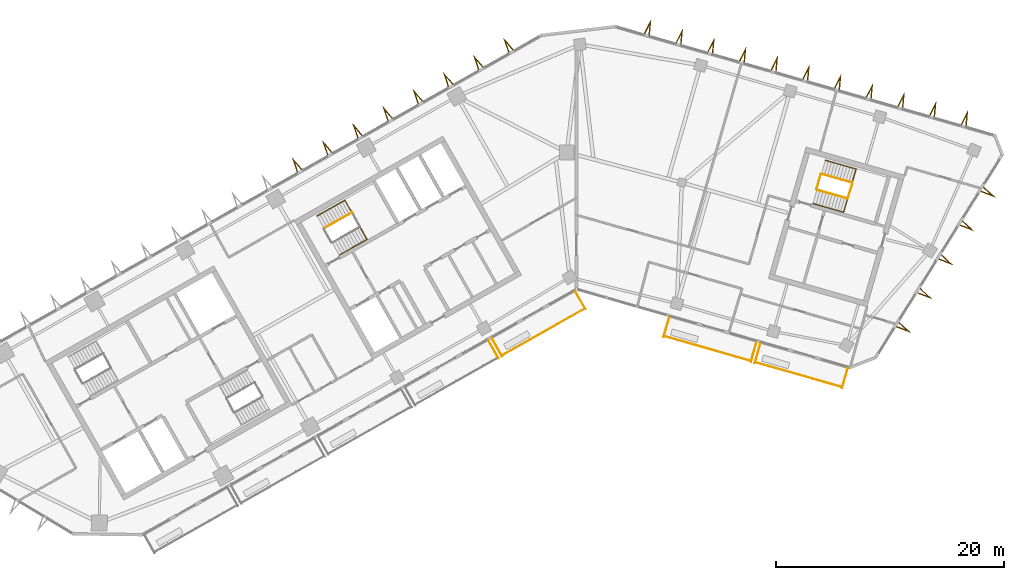
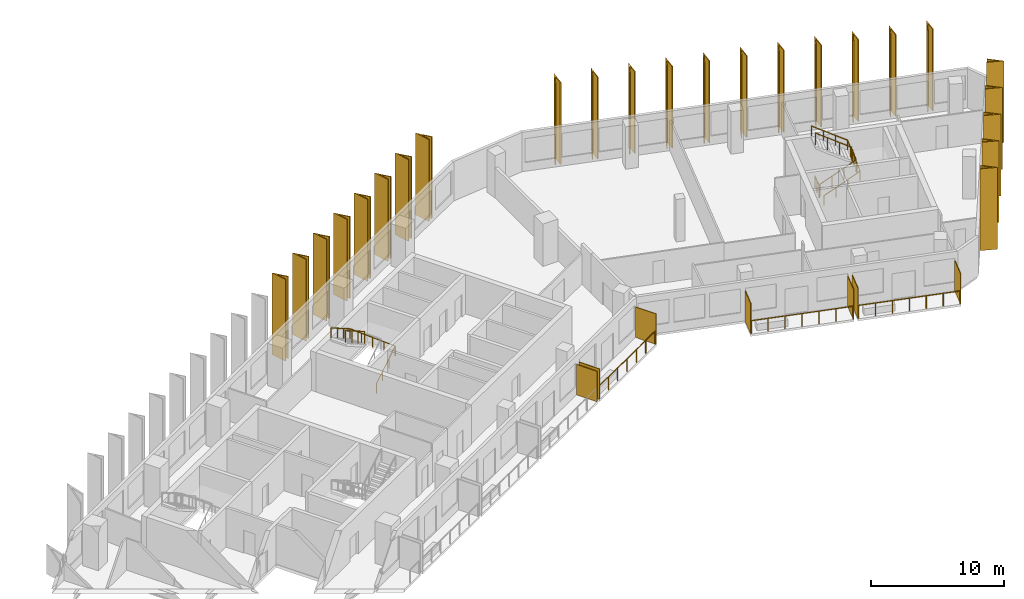
# One storey, part 11 of 12: 31 shading devices, 9 railings.
"""IFC4 building model written with IfcOpenShell, lengths in metres."""

import ifcopenshell
import ifcopenshell.guid

model = None  # the IFC model being written
_history = None  # IfcOwnerHistory: only IFC2X3 demands one
_inside = {}  # id of a spatial element -> (the spatial element, [elements in it])
_under = {}  # id of a project, library or spatial element -> (it, [spatial elements below it])
_declared = {}  # id of a project -> (the project, [libraries it declares])
_typed = {}  # id of a type object -> (the type object, [elements of that type])
_made_of = {}  # id of a material, layer set ... -> (it, [elements and type objects made of it])


def new_model(schema):
    """Start an empty IFC model of exactly this schema.

    Asked for "IFC4X3", IfcOpenShell would pick the latest addendum, in which some entities
    have other attributes; the version numbers below select the first issue.
    IFC2X3 requires an IfcOwnerHistory on every rooted entity: one is made here for all.
    """
    global model, _history
    if schema == "IFC4X3":
        model = ifcopenshell.file(schema_version=(4, 3, 0, 0))
    else:
        model = ifcopenshell.file(schema=schema)
    _inside.clear()
    _under.clear()
    _declared.clear()
    _typed.clear()
    _made_of.clear()
    _history = None
    if model.schema == "IFC2X3":
        org = make("IfcOrganization", Name="unknown")
        user = make(
            "IfcPersonAndOrganization",
            ThePerson=make("IfcPerson", FamilyName="unknown"),
            TheOrganization=org,
        )
        app = make(
            "IfcApplication",
            ApplicationDeveloper=org,
            Version="unknown",
            ApplicationFullName="unknown",
            ApplicationIdentifier="unknown",
        )
        _history = make(
            "IfcOwnerHistory",
            OwningUser=user,
            OwningApplication=app,
            ChangeAction="ADDED",
            CreationDate=0,
        )
    return model


def make(cls, **values):
    """One entity of the class cls with the attributes given. An attribute that is None is left unset."""
    return model.create_entity(
        cls, **{name: value for name, value in values.items() if value is not None}
    )


def rooted(cls, **values):
    """An entity with a GlobalId (a new one), such as an element, a storey or a relation."""
    return make(cls, GlobalId=ifcopenshell.guid.new(), OwnerHistory=_history, **values)


def si_unit(unit_type, name, prefix=None):
    """IfcSIUnit, for example si_unit("LENGTHUNIT", "METRE", prefix="MILLI")."""
    return make("IfcSIUnit", UnitType=unit_type, Prefix=prefix, Name=name)


def assignment(units):
    """IfcUnitAssignment: the units of a project."""
    return None if units is None else make("IfcUnitAssignment", Units=units)


def point(xyz):
    """IfcCartesianPoint."""
    return None if xyz is None else make("IfcCartesianPoint", Coordinates=xyz)


def direction(xyz):
    """IfcDirection."""
    return None if xyz is None else make("IfcDirection", DirectionRatios=xyz)


def frame(location, z_axis=None, x_axis=None):
    """IfcAxis2Placement3D, a coordinate frame: its origin and axes. An axis left out is left unset."""
    return make(
        "IfcAxis2Placement3D",
        Location=point(location),
        Axis=direction(z_axis),
        RefDirection=direction(x_axis),
    )


def frame_2d(location, x_axis=None):
    """IfcAxis2Placement2D, a coordinate frame in the plane: its origin and x axis."""
    return make(
        "IfcAxis2Placement2D", Location=point(location), RefDirection=direction(x_axis)
    )


def origin():
    """The frame at (0, 0, 0) with its axes left unset."""
    return frame((0.0, 0.0, 0.0))


def origin_2d():
    """The frame at (0, 0) in the plane with its x axis left unset."""
    return frame_2d((0.0, 0.0))


def place(relative_to, where):
    """IfcLocalPlacement: puts the frame where relative to a parent placement (None: the world)."""
    return make(
        "IfcLocalPlacement", PlacementRelTo=relative_to, RelativePlacement=where
    )


def context(
    kind, dimensions, precision=None, world=None, true_north=None, identifier=None
):
    """IfcGeometricRepresentationContext, for example the 3D "Model" context."""
    return make(
        "IfcGeometricRepresentationContext",
        ContextIdentifier=identifier,
        ContextType=kind,
        CoordinateSpaceDimension=dimensions,
        Precision=precision,
        WorldCoordinateSystem=world,
        TrueNorth=true_north,
    )


def subcontext(parent, identifier, kind, view, scale=None):
    """IfcGeometricRepresentationSubContext, for example "Body" below "Model"."""
    return make(
        "IfcGeometricRepresentationSubContext",
        ContextIdentifier=identifier,
        ContextType=kind,
        ParentContext=parent,
        TargetScale=scale,
        TargetView=view,
    )


def project(units=None, contexts=None):
    """IfcProject with its units and contexts."""
    return rooted(
        "IfcProject",
        Name="project",
        RepresentationContexts=contexts,
        UnitsInContext=assignment(units),
    )


def spatial(cls, under=None, at=None, **own):
    """A site, building, storey or space (cls), placed at a placement, below another one or the project."""
    s = rooted(cls, ObjectPlacement=at, **own)
    if under is not None:
        _under.setdefault(under.id(), (under, []))[1].append(s)
    return s


def polyline(points):
    """IfcPolyline through the points."""
    return make("IfcPolyline", Points=[point(p) for p in points])


def profile(cls, at=None, kind="AREA", **sizes):
    """A parametric profile (cls). Its sizes go by their IFC names, for example OverallWidth=200.0."""
    return make(cls, ProfileType=kind, Position=at, **sizes)


def rectangle(**sizes):
    """IfcRectangleProfileDef."""
    return profile("IfcRectangleProfileDef", **sizes)


def circle(**sizes):
    """IfcCircleProfileDef."""
    return profile("IfcCircleProfileDef", **sizes)


def outline(outer, holes=None, kind="AREA"):
    """IfcArbitraryClosedProfileDef: a profile drawn as a closed curve; with holes, ...WithVoids."""
    if holes is None:
        return make("IfcArbitraryClosedProfileDef", ProfileType=kind, OuterCurve=outer)
    return make(
        "IfcArbitraryProfileDefWithVoids",
        ProfileType=kind,
        OuterCurve=outer,
        InnerCurves=holes,
    )


def extrude(swept, where, along, depth):
    """IfcExtrudedAreaSolid: the profile swept, set in the frame where, extruded along a direction by depth."""
    return make(
        "IfcExtrudedAreaSolid",
        SweptArea=swept,
        Position=where,
        ExtrudedDirection=direction(along),
        Depth=depth,
    )


def shape(context_of_items, identifier, shape_type, items):
    """IfcShapeRepresentation: the items that make up one representation, for example the "Body"."""
    return make(
        "IfcShapeRepresentation",
        ContextOfItems=context_of_items,
        RepresentationIdentifier=identifier,
        RepresentationType=shape_type,
        Items=items,
    )


def material(Name=None, Category=None):
    """IfcMaterial."""
    return make("IfcMaterial", Name=Name, Category=Category)


def layer(
    of_material, thickness, ventilated=None, Name=None, Category=None, Priority=None
):
    """IfcMaterialLayer: one layer of a wall or slab, of a material (None: an air gap)."""
    return make(
        "IfcMaterialLayer",
        Material=of_material,
        LayerThickness=thickness,
        IsVentilated=ventilated,
        Name=Name,
        Category=Category,
        Priority=Priority,
    )


def layer_set(layers, Name=None):
    """IfcMaterialLayerSet."""
    return make("IfcMaterialLayerSet", MaterialLayers=layers, LayerSetName=Name)


def made_of(thing, what):
    """Note that an element or type object is made of a material, layer set ...; save() writes the relation."""
    if what is not None:
        _made_of.setdefault(what.id(), (what, []))[1].append(thing)
    return thing


def type_object(cls, material=None, **own):
    """A type object (cls), such as IfcWallType, which elements share."""
    return made_of(rooted(cls, **own), material)


def element(
    cls,
    number,
    at=None,
    inside=None,
    cuts=None,
    type_object=None,
    material=None,
    context=None,
    identifier="Body",
    shape_type=None,
    held_by="IfcProductDefinitionShape",
    body=None,
    shapes=None,
    **own,
):
    """One element of the class cls, such as IfcWall. Its Tag is "e" and its number.

    at: its placement. inside: the storey or other place that contains it. cuts: it is an
    opening in that element (IfcRelVoidsElement). A single representation is given by context,
    identifier, shape_type and body (its items); several are given by shapes. held_by: the class
    of the entity that holds the representations. save() writes the other relations.
    """
    e = rooted(cls, Tag="e%d" % number, ObjectPlacement=at, **own)
    if body is not None:
        shapes = [shape(context, identifier, shape_type, body)]
    if shapes is not None:
        e.Representation = make(held_by, Representations=shapes)
    if inside is not None:
        _inside.setdefault(inside.id(), (inside, []))[1].append(e)
    if cuts is not None:
        rooted(
            "IfcRelVoidsElement", RelatingBuildingElement=cuts, RelatedOpeningElement=e
        )
    if type_object is not None:
        _typed.setdefault(type_object.id(), (type_object, []))[1].append(e)
    return made_of(e, material)


def aggregate(whole, parts):
    """IfcRelAggregates: a whole, such as a stair, and the parts it consists of."""
    return rooted("IfcRelAggregates", RelatingObject=whole, RelatedObjects=parts)


def save(model, path):
    """Write the relations noted so far, then the file.

    IfcRelAggregates (storeys below a building ...), IfcRelContainedInSpatialStructure (elements
    in a storey), IfcRelDefinesByType, IfcRelAssociatesMaterial and IfcRelDeclares: one each for
    every whole, place, type object, material and project.
    """
    for whole, parts in _under.values():
        aggregate(whole, parts)
    for where, things in _inside.values():
        rooted(
            "IfcRelContainedInSpatialStructure",
            RelatedElements=things,
            RelatingStructure=where,
        )
    for kind, things in _typed.values():
        rooted("IfcRelDefinesByType", RelatedObjects=things, RelatingType=kind)
    for what, things in _made_of.values():
        rooted("IfcRelAssociatesMaterial", RelatedObjects=things, RelatingMaterial=what)
    for by, libraries in _declared.values():
        rooted("IfcRelDeclares", RelatingContext=by, RelatedDefinitions=libraries)
    model.write(path)


model = new_model("IFC4")

# Units and contexts
model_context = context("Model", 3, precision=1e-05, world=origin(), true_north=direction((0.0, 1.0)))
body_context = subcontext(model_context, "Body", "Model", "MODEL_VIEW")
ifc_project = project(units=[si_unit("LENGTHUNIT", "METRE"), si_unit("AREAUNIT", "SQUARE_METRE"), si_unit("VOLUMEUNIT", "CUBIC_METRE"), si_unit("PLANEANGLEUNIT", "RADIAN"), si_unit("MASSUNIT", "GRAM", prefix="KILO")], contexts=[model_context])

# Site, building, storey
site_placement = place(None, origin())
site = spatial("IfcSite", under=ifc_project, at=site_placement, CompositionType="ELEMENT")
building_placement = place(site_placement, origin())
building = spatial("IfcBuilding", under=site, at=building_placement, Name="Binnacle Exchange Tower", CompositionType="ELEMENT")
storey_placement = place(building_placement, frame((0.0, 0.0, 238.699951171875)))
storey = spatial("IfcBuildingStorey", under=building, at=storey_placement, Name="L52", CompositionType="ELEMENT", Elevation=238.699951171875)

# Railings
ifc_material_1 = material(Name="Bronze anodised aluminium frame", Category="aluminium")
railing_type_1 = type_object("IfcRailingType", Name="GUARD 1200", PredefinedType="GUARDRAIL", material=ifc_material_1)
railing_1_placement = place(storey_placement, frame((-6.5283203125, 42.186767578125, 0.0)))
element("IfcRailing", 1, at=railing_1_placement, inside=storey, type_object=railing_type_1, Name="Balcony guard G01-B04 L52", PredefinedType="GUARDRAIL", context=body_context, shape_type="SweptSolid", body=[
    extrude(circle(Radius=0.02392578125, at=origin_2d()), frame((0.0, 0.0, 1.17578125), z_axis=(0.870365821494, 0.492405662818, 0.0), x_axis=(-0.492405662818, 0.870365821494, 0.0)), (0.0, 0.0, 1.0), 8.334716796875),
    extrude(circle(Radius=0.02099609375, at=origin_2d()), origin(), (0.0, 0.0, 1.0), 1.15185546875),
    extrude(circle(Radius=0.02099609375, at=origin_2d()), frame((1.208984375, 0.68408203125, 0.0)), (0.0, 0.0, 1.0), 1.15185546875),
    extrude(circle(Radius=0.02099609375, at=origin_2d()), frame((2.41796875, 1.367919921875, 0.0)), (0.0, 0.0, 1.0), 1.15185546875),
    extrude(circle(Radius=0.02099609375, at=origin_2d()), frame((3.626953125, 2.052001953125, 0.0)), (0.0, 0.0, 1.0), 1.15185546875),
    extrude(circle(Radius=0.02099609375, at=origin_2d()), frame((4.836181640625, 2.736083984375, 0.0)), (0.0, 0.0, 1.0), 1.15185546875),
    extrude(circle(Radius=0.02099609375, at=origin_2d()), frame((6.045166015625, 3.419921875, 0.0)), (0.0, 0.0, 1.0), 1.15185546875),
    extrude(circle(Radius=0.02099609375, at=origin_2d()), frame((7.254150390625, 4.10400390625, 0.0)), (0.0, 0.0, 1.0), 1.15185546875),
])
railing_2_placement = place(storey_placement, frame((7.69140625, 43.875244140625, 0.0)))
element("IfcRailing", 2, at=railing_2_placement, inside=storey, type_object=railing_type_1, Name="Balcony guard G02-B01 L52", PredefinedType="GUARDRAIL", context=body_context, shape_type="SweptSolid", body=[
    extrude(circle(Radius=0.02392578125, at=origin_2d()), frame((0.0, 0.0, 1.17578125), z_axis=(0.961259965977, -0.275643388836, 0.0), x_axis=(0.275643388836, 0.961259965977, 0.0)), (0.0, 0.0, 1.0), 7.900634765625),
    extrude(circle(Radius=0.02099609375, at=origin_2d()), origin(), (0.0, 0.0, 1.0), 1.15185546875),
    extrude(circle(Radius=0.02099609375, at=origin_2d()), frame((1.265625, -0.363037109375, 0.0)), (0.0, 0.0, 1.0), 1.15185546875),
    extrude(circle(Radius=0.02099609375, at=origin_2d()), frame((2.531494140625, -0.725830078125, 0.0)), (0.0, 0.0, 1.0), 1.15185546875),
    extrude(circle(Radius=0.02099609375, at=origin_2d()), frame((3.79736328125, -1.0888671875, 0.0)), (0.0, 0.0, 1.0), 1.15185546875),
    extrude(circle(Radius=0.02099609375, at=origin_2d()), frame((5.06298828125, -1.451904296875, 0.0)), (0.0, 0.0, 1.0), 1.15185546875),
    extrude(circle(Radius=0.02099609375, at=origin_2d()), frame((6.32861328125, -1.814697265625, 0.0)), (0.0, 0.0, 1.0), 1.15185546875),
    extrude(circle(Radius=0.02099609375, at=origin_2d()), frame((7.594482421875, -2.177734375, 0.0)), (0.0, 0.0, 1.0), 1.15185546875),
])
railing_3_placement = place(storey_placement, frame((15.689453125, 41.581787109375, 0.0)))
element("IfcRailing", 3, at=railing_3_placement, inside=storey, type_object=railing_type_1, Name="Balcony guard G02-B02 L52", PredefinedType="GUARDRAIL", context=body_context, shape_type="SweptSolid", body=[
    extrude(circle(Radius=0.02392578125, at=origin_2d()), frame((0.0, 0.0, 1.17578125), z_axis=(0.961257617982, -0.275651576943, 0.0), x_axis=(0.275651576943, 0.961257617982, 0.0)), (0.0, 0.0, 1.0), 7.900390625),
    extrude(circle(Radius=0.02099609375, at=origin_2d()), origin(), (0.0, 0.0, 1.0), 1.15185546875),
    extrude(circle(Radius=0.02099609375, at=origin_2d()), frame((1.265625, -0.363037109375, 0.0)), (0.0, 0.0, 1.0), 1.15185546875),
    extrude(circle(Radius=0.02099609375, at=origin_2d()), frame((2.531494140625, -0.725830078125, 0.0)), (0.0, 0.0, 1.0), 1.15185546875),
    extrude(circle(Radius=0.02099609375, at=origin_2d()), frame((3.797119140625, -1.0888671875, 0.0)), (0.0, 0.0, 1.0), 1.15185546875),
    extrude(circle(Radius=0.02099609375, at=origin_2d()), frame((5.062744140625, -1.451904296875, 0.0)), (0.0, 0.0, 1.0), 1.15185546875),
    extrude(circle(Radius=0.02099609375, at=origin_2d()), frame((6.32861328125, -1.814697265625, 0.0)), (0.0, 0.0, 1.0), 1.15185546875),
    extrude(circle(Radius=0.02099609375, at=origin_2d()), frame((7.59423828125, -2.177734375, 0.0)), (0.0, 0.0, 1.0), 1.15185546875),
])

# Shading devices
ifc_material_2 = material(Name="Bronze aluminium louvre", Category="aluminium")
ifc_layer = layer(ifc_material_2, 0.06005859375)
ifc_layer_set = layer_set([ifc_layer], Name="PLANTED SCREEN 60x2800")
shading_device_type_1 = type_object("IfcShadingDeviceType", Name="PLANTED SCREEN 60x2800", PredefinedType="USERDEFINED", material=ifc_layer_set)
for number, where, z_axis, x_axis, name in (
    (4, (-7.271484375, 42.70849609375, 0.0), (0.0, 0.0, 1.0), (0.87035569594, 0.492423560103, 0.0), "Planted screen G01-B03b L52"),
    (5, (-6.9580078125, 42.885498046875, 0.0), (0.0, 0.0, 1.0), (0.87035569594, 0.492423560103, 0.0), "Planted screen G01-B04a L52"),
    (6, (0.34814453125, 47.019287109375, 0.0), (0.0, 0.0, 1.0), (0.87035569594, 0.492423560103, 0.0), "Planted screen G01-B04b L52"),
    (7, (7.888671875, 44.671630859375, 0.0), (0.0, 0.0, 1.0), (0.961261695938, -0.275637355817, 0.0), "Planted screen G02-B01a L52"),
    (8, (15.54052734375, 42.4775390625, 0.0), (0.0, 0.0, 1.0), (0.961261695938, -0.275637355817, 0.0), "Planted screen G02-B01b L52"),
    (9, (15.88671875, 42.37841796875, 0.0), (0.0, 0.0, 1.0), (0.961261695938, -0.275637355817, 0.0), "Planted screen G02-B02a L52"),
    (10, (23.538818359375, 40.18408203125, 0.0), (0.0, 0.0, 1.0), (0.961261695938, -0.275637355817, 0.0), "Planted screen G02-B02b L52"),
):
    element("IfcShadingDevice", number, at=place(storey_placement, frame(where, z_axis=z_axis, x_axis=x_axis)), inside=storey, type_object=shading_device_type_1, Name=name, ObjectType="SCREEN", PredefinedType="USERDEFINED", context=body_context, shape_type="SweptSolid", body=[
        extrude(rectangle(XDim=0.06005859375, YDim=1.800048828125, at=origin_2d()), origin(), (0.0, 0.0, 1.0), 2.800048828125),
    ])

# Railings
ifc_material_3 = material(Name="Steel guard rail", Category="steel")
railing_type_2 = type_object("IfcRailingType", Name="STAIR GUARD 1100", PredefinedType="GUARDRAIL", material=ifc_material_3)
railing_4_placement = place(storey_placement, frame((-19.70068359375, 54.71337890625, 2.12744140625)))
element("IfcRailing", 11, at=railing_4_placement, inside=storey, type_object=railing_type_2, Name="L52 STC1 stair guard 2", PredefinedType="GUARDRAIL", context=body_context, shape_type="SweptSolid", body=[
    extrude(circle(Radius=0.02392578125, at=origin_2d()), frame((0.0, 0.0, 1.076171875), z_axis=(-0.735381288273, -0.416018647052, 0.534923215202), x_axis=(0.492387636113, -0.870376019777, 0.0)), (0.0, 0.0, 1.0), 3.31396484375),
    extrude(circle(Radius=0.02099609375, at=origin_2d()), origin(), (0.0, 0.0, 1.0), 1.052001953125),
    extrude(circle(Radius=0.02099609375, at=origin_2d()), frame((-0.812255859375, -0.45947265625, 0.5908203125)), (0.0, 0.0, 1.0), 1.052001953125),
    extrude(circle(Radius=0.02099609375, at=origin_2d()), frame((-1.624755859375, -0.919189453125, 1.181884765625)), (0.0, 0.0, 1.0), 1.052001953125),
    extrude(circle(Radius=0.02099609375, at=origin_2d()), frame((-2.43701171875, -1.378662109375, 1.772705078125)), (0.0, 0.0, 1.0), 1.052001953125),
])
railing_5_placement = place(storey_placement, frame((21.086669921875, 56.71044921875, 0.17724609375)))
element("IfcRailing", 12, at=railing_5_placement, inside=storey, type_object=railing_type_2, Name="L52 STD1 stair guard 1", PredefinedType="GUARDRAIL", context=body_context, shape_type="SweptSolid", body=[
    extrude(circle(Radius=0.02392578125, at=origin_2d()), frame((0.0, 0.0, 1.076171875), z_axis=(0.81215085225, -0.232948203448, 0.534926282491), x_axis=(0.275711388614, 0.96124046429, 0.0)), (0.0, 0.0, 1.0), 3.31396484375),
    extrude(circle(Radius=0.02392578125, at=origin_2d()), frame((2.69140625, -0.77197265625, 2.8486328125), z_axis=(0.309842533299, 0.950787886208, 0.0), x_axis=(-0.950787886208, 0.309842533299, 0.0)), (0.0, 0.0, 1.0), 1.40087890625),
    extrude(circle(Radius=0.02099609375, at=origin_2d()), origin(), (0.0, 0.0, 1.0), 1.052001953125),
    extrude(circle(Radius=0.02099609375, at=origin_2d()), frame((0.897216796875, -0.25732421875, 0.5908203125)), (0.0, 0.0, 1.0), 1.052001953125),
    extrude(circle(Radius=0.02099609375, at=origin_2d()), frame((1.794189453125, -0.5146484375, 1.181884765625)), (0.0, 0.0, 1.0), 1.052001953125),
    extrude(circle(Radius=0.02099609375, at=origin_2d()), frame((2.69140625, -0.77197265625, 1.772705078125)), (0.0, 0.0, 1.0), 1.052001953125),
    extrude(circle(Radius=0.02099609375, at=origin_2d()), frame((2.908447265625, -0.10595703125, 1.772705078125)), (0.0, 0.0, 1.0), 1.052001953125),
    extrude(circle(Radius=0.02099609375, at=origin_2d()), frame((3.12548828125, 0.56005859375, 1.772705078125)), (0.0, 0.0, 1.0), 1.052001953125),
])
railing_6_placement = place(storey_placement, frame((24.177734375, 57.332275390625, 2.12744140625)))
element("IfcRailing", 13, at=railing_6_placement, inside=storey, type_object=railing_type_2, Name="L52 STD1 stair guard 2", PredefinedType="GUARDRAIL", context=body_context, shape_type="SweptSolid", body=[
    extrude(circle(Radius=0.02392578125, at=origin_2d()), frame((0.0, 0.0, 1.076171875), z_axis=(-0.81215085225, 0.232948203448, 0.534926282491), x_axis=(-0.275711388614, -0.96124046429, 0.0)), (0.0, 0.0, 1.0), 3.31396484375),
    extrude(circle(Radius=0.02099609375, at=origin_2d()), origin(), (0.0, 0.0, 1.0), 1.052001953125),
    extrude(circle(Radius=0.02099609375, at=origin_2d()), frame((-0.897216796875, 0.25732421875, 0.5908203125)), (0.0, 0.0, 1.0), 1.052001953125),
    extrude(circle(Radius=0.02099609375, at=origin_2d()), frame((-1.794189453125, 0.5146484375, 1.181884765625)), (0.0, 0.0, 1.0), 1.052001953125),
    extrude(circle(Radius=0.02099609375, at=origin_2d()), frame((-2.69140625, 0.77197265625, 1.772705078125)), (0.0, 0.0, 1.0), 1.052001953125),
])
railing_7_placement = place(storey_placement, frame((21.05224609375, 56.772216796875, 0.0)))
element("IfcRailing", 14, at=railing_7_placement, inside=storey, type_object=railing_type_2, Name="L52 STD1 stair guard 3", PredefinedType="GUARDRAIL", context=body_context, shape_type="SweptSolid", body=[
    extrude(circle(Radius=0.02392578125, at=origin_2d()), frame((0.0, 0.0, 1.076171875), z_axis=(0.275795817769, 0.961216243569, 0.0), x_axis=(-0.961216243569, 0.275795817769, 0.0)), (0.0, 0.0, 1.0), 1.349853515625),
    extrude(circle(Radius=0.02099609375, at=origin_2d()), origin(), (0.0, 0.0, 1.0), 1.052001953125),
    extrude(circle(Radius=0.02099609375, at=origin_2d()), frame((0.18603515625, 0.64892578125, 0.0)), (0.0, 0.0, 1.0), 1.052001953125),
    extrude(circle(Radius=0.02099609375, at=origin_2d()), frame((0.372314453125, 1.297607421875, 0.0)), (0.0, 0.0, 1.0), 1.052001953125),
])
ifc_material_4 = material(Name="Steel handrail", Category="steel")
railing_type_3 = type_object("IfcRailingType", Name="STAIR HANDRAIL 900", PredefinedType="HANDRAIL", material=ifc_material_4)
railing_8_placement = place(storey_placement, frame((-20.808349609375, 50.984619140625, 0.17724609375)))
element("IfcRailing", 15, at=railing_8_placement, inside=storey, type_object=railing_type_3, Name="L52 STC1 stair handrail 1", PredefinedType="HANDRAIL", context=body_context, shape_type="SweptSolid", body=[
    extrude(circle(Radius=0.02392578125, at=origin_2d()), frame((0.0, 0.0, 0.8759765625), z_axis=(0.735358749054, 0.416079564682, 0.534906819964), x_axis=(-0.492453686477, 0.870338650569, 0.0)), (0.0, 0.0, 1.0), 3.31396484375),
    extrude(circle(Radius=0.02392578125, at=origin_2d()), frame((2.43701171875, 1.37890625, 2.6484375), z_axis=(-0.491943688629, 0.869468944343, 0.044890556249), x_axis=(-0.87034633103, -0.492440112159, 0.0)), (0.0, 0.0, 1.0), 3.953857421875),
    extrude(circle(Radius=0.02392578125, at=origin_2d()), frame((0.491943359375, 4.816650390625, 2.826171875), z_axis=(-0.735381288273, -0.416018647052, 0.534923215202), x_axis=(0.492387636113, -0.870376019777, 0.0)), (0.0, 0.0, 1.0), 3.31396484375),
    extrude(circle(Radius=0.02099609375, at=origin_2d()), origin(), (0.0, 0.0, 1.0), 0.851806640625),
    extrude(circle(Radius=0.02099609375, at=origin_2d()), frame((0.812255859375, 0.459716796875, 0.5908203125)), (0.0, 0.0, 1.0), 0.851806640625),
    extrude(circle(Radius=0.02099609375, at=origin_2d()), frame((1.624755859375, 0.919189453125, 1.181884765625)), (0.0, 0.0, 1.0), 0.851806640625),
    extrude(circle(Radius=0.02099609375, at=origin_2d()), frame((2.43701171875, 1.37890625, 1.772705078125)), (0.0, 0.0, 1.0), 0.851806640625),
    extrude(circle(Radius=0.02099609375, at=origin_2d()), frame((1.95068359375, 2.23828125, 1.817138671875)), (0.0, 0.0, 1.0), 0.851806640625),
    extrude(circle(Radius=0.02099609375, at=origin_2d()), frame((1.46435546875, 3.09765625, 1.861328125)), (0.0, 0.0, 1.0), 0.851806640625),
    extrude(circle(Radius=0.02099609375, at=origin_2d()), frame((0.978271484375, 3.957275390625, 1.90576171875)), (0.0, 0.0, 1.0), 0.851806640625),
    extrude(circle(Radius=0.02099609375, at=origin_2d()), frame((0.491943359375, 4.816650390625, 1.9501953125)), (0.0, 0.0, 1.0), 0.851806640625),
    extrude(circle(Radius=0.02099609375, at=origin_2d()), frame((-0.3203125, 4.357177734375, 2.541015625)), (0.0, 0.0, 1.0), 0.851806640625),
    extrude(circle(Radius=0.02099609375, at=origin_2d()), frame((-1.1328125, 3.8974609375, 3.132080078125)), (0.0, 0.0, 1.0), 0.851806640625),
    extrude(circle(Radius=0.02099609375, at=origin_2d()), frame((-1.945068359375, 3.43798828125, 3.722900390625)), (0.0, 0.0, 1.0), 0.851806640625),
])
railing_9_placement = place(storey_placement, frame((20.7421875, 55.5087890625, 0.17724609375)))
element("IfcRailing", 16, at=railing_9_placement, inside=storey, type_object=railing_type_3, Name="L52 STD1 stair handrail 1", PredefinedType="HANDRAIL", context=body_context, shape_type="SweptSolid", body=[
    extrude(circle(Radius=0.02392578125, at=origin_2d()), frame((0.0, 0.0, 0.8759765625), z_axis=(0.812164788183, -0.232878528252, 0.534935461448), x_axis=(0.275630818758, 0.961263570386, 0.0)), (0.0, 0.0, 1.0), 3.31396484375),
    extrude(circle(Radius=0.02392578125, at=origin_2d()), frame((2.69140625, -0.771728515625, 2.6484375), z_axis=(0.27539006586, 0.96028392472, 0.044889815668), x_axis=(-0.961252921364, 0.275667954558, 0.0)), (0.0, 0.0, 1.0), 3.953857421875),
    extrude(circle(Radius=0.02392578125, at=origin_2d()), frame((3.7802734375, 3.025146484375, 2.826171875), z_axis=(-0.812189863168, 0.232864594782, 0.534903455461), x_axis=(-0.27560771734, -0.96127019414, 0.0)), (0.0, 0.0, 1.0), 3.31396484375),
    extrude(circle(Radius=0.02099609375, at=origin_2d()), origin(), (0.0, 0.0, 1.0), 0.851806640625),
    extrude(circle(Radius=0.02099609375, at=origin_2d()), frame((0.897216796875, -0.25732421875, 0.5908203125)), (0.0, 0.0, 1.0), 0.851806640625),
    extrude(circle(Radius=0.02099609375, at=origin_2d()), frame((1.794189453125, -0.514404296875, 1.181884765625)), (0.0, 0.0, 1.0), 0.851806640625),
    extrude(circle(Radius=0.02099609375, at=origin_2d()), frame((2.69140625, -0.771728515625, 1.772705078125)), (0.0, 0.0, 1.0), 0.851806640625),
    extrude(circle(Radius=0.02099609375, at=origin_2d()), frame((2.963623046875, 0.177490234375, 1.817138671875)), (0.0, 0.0, 1.0), 0.851806640625),
    extrude(circle(Radius=0.02099609375, at=origin_2d()), frame((3.23583984375, 1.126708984375, 1.861328125)), (0.0, 0.0, 1.0), 0.851806640625),
    extrude(circle(Radius=0.02099609375, at=origin_2d()), frame((3.508056640625, 2.075927734375, 1.90576171875)), (0.0, 0.0, 1.0), 0.851806640625),
    extrude(circle(Radius=0.02099609375, at=origin_2d()), frame((3.7802734375, 3.025146484375, 1.9501953125)), (0.0, 0.0, 1.0), 0.851806640625),
    extrude(circle(Radius=0.02099609375, at=origin_2d()), frame((2.883056640625, 3.282470703125, 2.541015625)), (0.0, 0.0, 1.0), 0.851806640625),
    extrude(circle(Radius=0.02099609375, at=origin_2d()), frame((1.98583984375, 3.53955078125, 3.132080078125)), (0.0, 0.0, 1.0), 0.851806640625),
    extrude(circle(Radius=0.02099609375, at=origin_2d()), frame((1.088623046875, 3.796875, 3.722900390625)), (0.0, 0.0, 1.0), 0.851806640625),
])

# Shading devices
ifc_material_5 = material(Name="Bronze aluminium cladding", Category="aluminium")
shading_device_type_2 = type_object("IfcShadingDeviceType", Name="V FIN 1300 DEEP x 7520 HIGH", PredefinedType="USERDEFINED", material=ifc_material_5)
shading_device_1_placement = place(storey_placement, origin())
element("IfcShadingDevice", 17, at=shading_device_1_placement, inside=storey, type_object=shading_device_type_2, Name="V fin FN-G04-01 L52", ObjectType="FIN", PredefinedType="USERDEFINED", context=body_context, shape_type="SweptSolid", body=[
    extrude(outline(polyline([(28.05908203125, 44.668212890625), (29.294189453125, 44.19140625), (28.32421875, 45.09228515625), (28.281005859375, 45.023193359375), (28.934814453125, 44.416015625), (28.102294921875, 44.7373046875), (28.05908203125, 44.668212890625)])), origin(), (0.0, 0.0, 1.0), 7.52001953125),
])
shading_device_2_placement = place(storey_placement, origin())
element("IfcShadingDevice", 18, at=shading_device_2_placement, inside=storey, type_object=shading_device_type_2, Name="V fin FN-G04-02 L52", ObjectType="FIN", PredefinedType="USERDEFINED", context=body_context, shape_type="SweptSolid", body=[
    extrude(outline(polyline([(29.913818359375, 47.636474609375), (31.14892578125, 47.15966796875), (30.178955078125, 48.060546875), (30.1357421875, 47.991455078125), (30.78955078125, 47.384033203125), (29.95703125, 47.70556640625), (29.913818359375, 47.636474609375)])), origin(), (0.0, 0.0, 1.0), 7.52001953125),
])
shading_device_3_placement = place(storey_placement, origin())
element("IfcShadingDevice", 19, at=shading_device_3_placement, inside=storey, type_object=shading_device_type_2, Name="V fin FN-G04-03 L52", ObjectType="FIN", PredefinedType="USERDEFINED", context=body_context, shape_type="SweptSolid", body=[
    extrude(outline(polyline([(31.768798828125, 50.604736328125), (33.003662109375, 50.127685546875), (32.03369140625, 51.02880859375), (31.990478515625, 50.959716796875), (32.644287109375, 50.352294921875), (31.81201171875, 50.673828125), (31.768798828125, 50.604736328125)])), origin(), (0.0, 0.0, 1.0), 7.52001953125),
])
shading_device_4_placement = place(storey_placement, origin())
element("IfcShadingDevice", 20, at=shading_device_4_placement, inside=storey, type_object=shading_device_type_2, Name="V fin FN-G04-04 L52", ObjectType="FIN", PredefinedType="USERDEFINED", context=body_context, shape_type="SweptSolid", body=[
    extrude(outline(polyline([(33.623291015625, 53.57275390625), (34.8583984375, 53.095947265625), (33.888427734375, 53.996826171875), (33.84521484375, 53.927734375), (34.4990234375, 53.3203125), (33.66650390625, 53.641845703125), (33.623291015625, 53.57275390625)])), origin(), (0.0, 0.0, 1.0), 7.52001953125),
])
shading_device_5_placement = place(storey_placement, origin())
element("IfcShadingDevice", 21, at=shading_device_5_placement, inside=storey, type_object=shading_device_type_2, Name="V fin FN-G04-05 L52", ObjectType="FIN", PredefinedType="USERDEFINED", context=body_context, shape_type="SweptSolid", body=[
    extrude(outline(polyline([(35.47802734375, 56.541015625), (36.713134765625, 56.064208984375), (35.7431640625, 56.965087890625), (35.699951171875, 56.89599609375), (36.353759765625, 56.28857421875), (35.521240234375, 56.610107421875), (35.47802734375, 56.541015625)])), origin(), (0.0, 0.0, 1.0), 7.52001953125),
])
shading_device_6_placement = place(storey_placement, origin())
element("IfcShadingDevice", 22, at=shading_device_6_placement, inside=storey, type_object=shading_device_type_2, Name="V fin FN-G06-01 L52", ObjectType="FIN", PredefinedType="USERDEFINED", context=body_context, shape_type="SweptSolid", body=[
    extrude(outline(polyline([(34.2080078125, 62.321044921875), (34.325927734375, 63.639404296875), (33.727294921875, 62.458740234375), (33.8056640625, 62.436279296875), (34.209228515625, 63.232421875), (34.129638671875, 62.343505859375), (34.2080078125, 62.321044921875)])), origin(), (0.0, 0.0, 1.0), 7.52001953125),
])
shading_device_7_placement = place(storey_placement, origin())
element("IfcShadingDevice", 23, at=shading_device_7_placement, inside=storey, type_object=shading_device_type_2, Name="V fin FN-G06-02 L52", ObjectType="FIN", PredefinedType="USERDEFINED", context=body_context, shape_type="SweptSolid", body=[
    extrude(outline(polyline([(31.428955078125, 63.117919921875), (31.547119140625, 64.436279296875), (30.948486328125, 63.255615234375), (31.026611328125, 63.2333984375), (31.430419921875, 64.029296875), (31.3505859375, 63.140380859375), (31.428955078125, 63.117919921875)])), origin(), (0.0, 0.0, 1.0), 7.52001953125),
])
shading_device_8_placement = place(storey_placement, origin())
element("IfcShadingDevice", 24, at=shading_device_8_placement, inside=storey, type_object=shading_device_type_2, Name="V fin FN-G06-03 L52", ObjectType="FIN", PredefinedType="USERDEFINED", context=body_context, shape_type="SweptSolid", body=[
    extrude(outline(polyline([(28.64990234375, 63.914794921875), (28.76806640625, 65.2333984375), (28.16943359375, 64.052490234375), (28.247802734375, 64.0302734375), (28.6513671875, 64.826171875), (28.57177734375, 63.937255859375), (28.64990234375, 63.914794921875)])), origin(), (0.0, 0.0, 1.0), 7.52001953125),
])
shading_device_9_placement = place(storey_placement, origin())
element("IfcShadingDevice", 25, at=shading_device_9_placement, inside=storey, type_object=shading_device_type_2, Name="V fin FN-G06-04 L52", ObjectType="FIN", PredefinedType="USERDEFINED", context=body_context, shape_type="SweptSolid", body=[
    extrude(outline(polyline([(25.87109375, 64.711669921875), (25.989013671875, 66.030029296875), (25.390380859375, 64.849365234375), (25.46875, 64.826904296875), (25.872314453125, 65.622802734375), (25.792724609375, 64.73388671875), (25.87109375, 64.711669921875)])), origin(), (0.0, 0.0, 1.0), 7.52001953125),
])
shading_device_10_placement = place(storey_placement, origin())
element("IfcShadingDevice", 26, at=shading_device_10_placement, inside=storey, type_object=shading_device_type_2, Name="V fin FN-G06-05 L52", ObjectType="FIN", PredefinedType="USERDEFINED", context=body_context, shape_type="SweptSolid", body=[
    extrude(outline(polyline([(23.092041015625, 65.508544921875), (23.210205078125, 66.826904296875), (22.611572265625, 65.646240234375), (22.689697265625, 65.623779296875), (23.093505859375, 66.419921875), (23.013916015625, 65.531005859375), (23.092041015625, 65.508544921875)])), origin(), (0.0, 0.0, 1.0), 7.52001953125),
])
shading_device_11_placement = place(storey_placement, origin())
element("IfcShadingDevice", 27, at=shading_device_11_placement, inside=storey, type_object=shading_device_type_2, Name="V fin FN-G06-06 L52", ObjectType="FIN", PredefinedType="USERDEFINED", context=body_context, shape_type="SweptSolid", body=[
    extrude(outline(polyline([(20.31298828125, 66.305419921875), (20.43115234375, 67.623779296875), (19.83251953125, 66.443115234375), (19.910888671875, 66.420654296875), (20.314453125, 67.216552734375), (20.23486328125, 66.32763671875), (20.31298828125, 66.305419921875)])), origin(), (0.0, 0.0, 1.0), 7.52001953125),
])
shading_device_12_placement = place(storey_placement, origin())
element("IfcShadingDevice", 28, at=shading_device_12_placement, inside=storey, type_object=shading_device_type_2, Name="V fin FN-G06-07 L52", ObjectType="FIN", PredefinedType="USERDEFINED", context=body_context, shape_type="SweptSolid", body=[
    extrude(outline(polyline([(17.5341796875, 67.102294921875), (17.652099609375, 68.420654296875), (17.053466796875, 67.239990234375), (17.1318359375, 67.217529296875), (17.535400390625, 68.013427734375), (17.455810546875, 67.12451171875), (17.5341796875, 67.102294921875)])), origin(), (0.0, 0.0, 1.0), 7.52001953125),
])
shading_device_13_placement = place(storey_placement, origin())
element("IfcShadingDevice", 29, at=shading_device_13_placement, inside=storey, type_object=shading_device_type_2, Name="V fin FN-G06-08 L52", ObjectType="FIN", PredefinedType="USERDEFINED", context=body_context, shape_type="SweptSolid", body=[
    extrude(outline(polyline([(14.755126953125, 67.899169921875), (14.873046875, 69.217529296875), (14.2744140625, 68.036865234375), (14.352783203125, 68.014404296875), (14.75634765625, 68.810302734375), (14.6767578125, 67.92138671875), (14.755126953125, 67.899169921875)])), origin(), (0.0, 0.0, 1.0), 7.52001953125),
])
shading_device_14_placement = place(storey_placement, origin())
element("IfcShadingDevice", 30, at=shading_device_14_placement, inside=storey, type_object=shading_device_type_2, Name="V fin FN-G06-09 L52", ObjectType="FIN", PredefinedType="USERDEFINED", context=body_context, shape_type="SweptSolid", body=[
    extrude(outline(polyline([(11.97607421875, 68.69580078125), (12.093994140625, 70.014404296875), (11.49560546875, 68.833740234375), (11.57373046875, 68.811279296875), (11.977294921875, 69.607177734375), (11.897705078125, 68.71826171875), (11.97607421875, 68.69580078125)])), origin(), (0.0, 0.0, 1.0), 7.52001953125),
])
shading_device_15_placement = place(storey_placement, origin())
element("IfcShadingDevice", 31, at=shading_device_15_placement, inside=storey, type_object=shading_device_type_2, Name="V fin FN-G06-10 L52", ObjectType="FIN", PredefinedType="USERDEFINED", context=body_context, shape_type="SweptSolid", body=[
    extrude(outline(polyline([(9.197265625, 69.492919921875), (9.315185546875, 70.811279296875), (8.716552734375, 69.630615234375), (8.794921875, 69.608154296875), (9.198486328125, 70.404052734375), (9.118896484375, 69.51513671875), (9.197265625, 69.492919921875)])), origin(), (0.0, 0.0, 1.0), 7.52001953125),
])
shading_device_16_placement = place(storey_placement, origin())
element("IfcShadingDevice", 32, at=shading_device_16_placement, inside=storey, type_object=shading_device_type_2, Name="V fin FN-G06-11 L52", ObjectType="FIN", PredefinedType="USERDEFINED", context=body_context, shape_type="SweptSolid", body=[
    extrude(outline(polyline([(6.418212890625, 70.28955078125), (6.5361328125, 71.608154296875), (5.9375, 70.427490234375), (6.015869140625, 70.405029296875), (6.41943359375, 71.200927734375), (6.33984375, 70.31201171875), (6.418212890625, 70.28955078125)])), origin(), (0.0, 0.0, 1.0), 7.52001953125),
])
shading_device_17_placement = place(storey_placement, origin())
element("IfcShadingDevice", 33, at=shading_device_17_placement, inside=storey, type_object=shading_device_type_2, Name="V fin FN-G08-01 L52", ObjectType="FIN", PredefinedType="USERDEFINED", context=body_context, shape_type="SweptSolid", body=[
    extrude(outline(polyline([(-5.538818359375, 69.009765625), (-6.396728515625, 70.018310546875), (-5.97412109375, 68.763671875), (-5.9033203125, 68.8037109375), (-6.18798828125, 69.6494140625), (-5.60986328125, 68.9697265625), (-5.538818359375, 69.009765625)])), origin(), (0.0, 0.0, 1.0), 7.52001953125),
])
shading_device_18_placement = place(storey_placement, origin())
element("IfcShadingDevice", 34, at=shading_device_18_placement, inside=storey, type_object=shading_device_type_2, Name="V fin FN-G08-02 L52", ObjectType="FIN", PredefinedType="USERDEFINED", context=body_context, shape_type="SweptSolid", body=[
    extrude(outline(polyline([(-8.187744140625, 67.51123046875), (-9.04541015625, 68.51953125), (-8.622802734375, 67.264892578125), (-8.552001953125, 67.30517578125), (-8.8369140625, 68.15087890625), (-8.258544921875, 67.47119140625), (-8.187744140625, 67.51123046875)])), origin(), (0.0, 0.0, 1.0), 7.52001953125),
])
shading_device_19_placement = place(storey_placement, origin())
element("IfcShadingDevice", 35, at=shading_device_19_placement, inside=storey, type_object=shading_device_type_2, Name="V fin FN-G08-03 L52", ObjectType="FIN", PredefinedType="USERDEFINED", context=body_context, shape_type="SweptSolid", body=[
    extrude(outline(polyline([(-10.83642578125, 66.0126953125), (-11.694091796875, 67.02099609375), (-11.271484375, 65.766357421875), (-11.20068359375, 65.806396484375), (-11.485595703125, 66.65234375), (-10.9072265625, 65.972412109375), (-10.83642578125, 66.0126953125)])), origin(), (0.0, 0.0, 1.0), 7.52001953125),
])
shading_device_20_placement = place(storey_placement, origin())
element("IfcShadingDevice", 36, at=shading_device_20_placement, inside=storey, type_object=shading_device_type_2, Name="V fin FN-G08-04 L52", ObjectType="FIN", PredefinedType="USERDEFINED", context=body_context, shape_type="SweptSolid", body=[
    extrude(outline(polyline([(-13.485107421875, 64.51416015625), (-14.343017578125, 65.5224609375), (-13.92041015625, 64.267822265625), (-13.849365234375, 64.30810546875), (-14.13427734375, 65.15380859375), (-13.555908203125, 64.47412109375), (-13.485107421875, 64.51416015625)])), origin(), (0.0, 0.0, 1.0), 7.52001953125),
])
shading_device_21_placement = place(storey_placement, origin())
element("IfcShadingDevice", 37, at=shading_device_21_placement, inside=storey, type_object=shading_device_type_2, Name="V fin FN-G08-05 L52", ObjectType="FIN", PredefinedType="USERDEFINED", context=body_context, shape_type="SweptSolid", body=[
    extrude(outline(polyline([(-16.1337890625, 63.015380859375), (-16.99169921875, 64.02392578125), (-16.569091796875, 62.769287109375), (-16.498046875, 62.809326171875), (-16.782958984375, 63.6552734375), (-16.20458984375, 62.975341796875), (-16.1337890625, 63.015380859375)])), origin(), (0.0, 0.0, 1.0), 7.52001953125),
])
shading_device_22_placement = place(storey_placement, origin())
element("IfcShadingDevice", 38, at=shading_device_22_placement, inside=storey, type_object=shading_device_type_2, Name="V fin FN-G08-06 L52", ObjectType="FIN", PredefinedType="USERDEFINED", context=body_context, shape_type="SweptSolid", body=[
    extrude(outline(polyline([(-18.78271484375, 61.516845703125), (-19.640380859375, 62.525390625), (-19.2177734375, 61.270751953125), (-19.14697265625, 61.310791015625), (-19.431640625, 62.156494140625), (-18.853515625, 61.476806640625), (-18.78271484375, 61.516845703125)])), origin(), (0.0, 0.0, 1.0), 7.52001953125),
])
shading_device_23_placement = place(storey_placement, origin())
element("IfcShadingDevice", 39, at=shading_device_23_placement, inside=storey, type_object=shading_device_type_2, Name="V fin FN-G08-07 L52", ObjectType="FIN", PredefinedType="USERDEFINED", context=body_context, shape_type="SweptSolid", body=[
    extrude(outline(polyline([(-21.431396484375, 60.018310546875), (-22.2890625, 61.026611328125), (-21.866455078125, 59.772216796875), (-21.795654296875, 59.812255859375), (-22.080322265625, 60.657958984375), (-21.502197265625, 59.978271484375), (-21.431396484375, 60.018310546875)])), origin(), (0.0, 0.0, 1.0), 7.52001953125),
])
shading_device_24_placement = place(storey_placement, origin())
element("IfcShadingDevice", 40, at=shading_device_24_placement, inside=storey, type_object=shading_device_type_2, Name="V fin FN-G08-08 L52", ObjectType="FIN", PredefinedType="USERDEFINED", context=body_context, shape_type="SweptSolid", body=[
    extrude(outline(polyline([(-24.080078125, 58.519775390625), (-24.93798828125, 59.528076171875), (-24.515380859375, 58.2734375), (-24.4443359375, 58.313720703125), (-24.729248046875, 59.159423828125), (-24.15087890625, 58.4794921875), (-24.080078125, 58.519775390625)])), origin(), (0.0, 0.0, 1.0), 7.52001953125),
])

save(model, "model.ifc")
